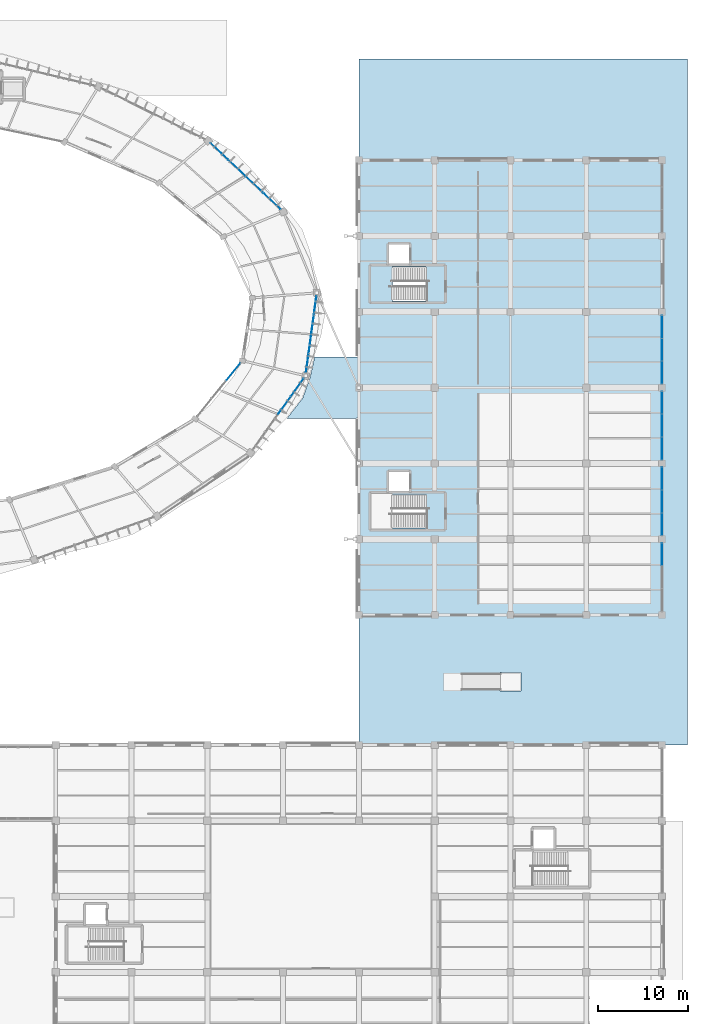
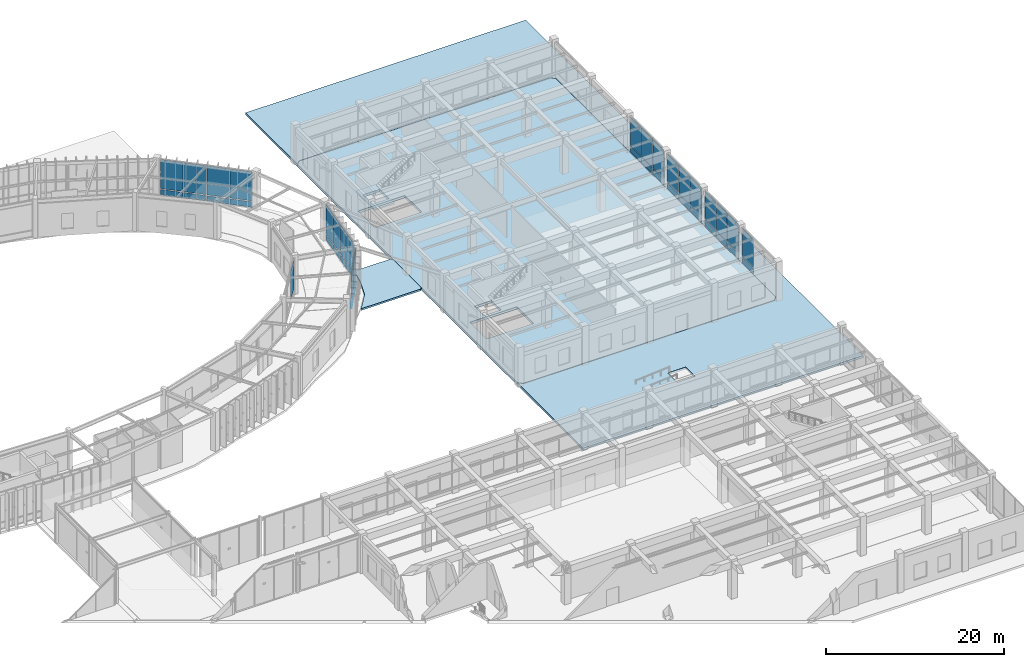
# One storey, part 117 of 157: 41 plates, 4 slabs, 9 elements without a shape of their own.
"""IFC4 building model written with IfcOpenShell, lengths in metres."""

from ifc_helpers import new_model, si_unit, direction, frame, origin, origin_2d, place, context, subcontext, project, spatial, polyline, rectangle, outline, extrude, material, layer, layer_set, type_object, element, aggregate, save


model = new_model("IFC4")

# Units and contexts
model_context = context("Model", 3, precision=1e-05, world=origin(), true_north=direction((0.0, 1.0)))
body_context = subcontext(model_context, "Body", "Model", "MODEL_VIEW")
ifc_project = project(units=[si_unit("LENGTHUNIT", "METRE"), si_unit("AREAUNIT", "SQUARE_METRE"), si_unit("VOLUMEUNIT", "CUBIC_METRE"), si_unit("PLANEANGLEUNIT", "RADIAN"), si_unit("MASSUNIT", "GRAM", prefix="KILO"), si_unit("THERMODYNAMICTEMPERATUREUNIT", "KELVIN"), si_unit("POWERUNIT", "WATT")], contexts=[model_context])

# Site, building, storey
site_placement = place(None, origin())
site = spatial("IfcSite", under=ifc_project, at=site_placement, CompositionType="ELEMENT")
building_placement = place(site_placement, origin())
building = spatial("IfcBuilding", under=site, at=building_placement, Name="Darbajah Civic Hall", CompositionType="ELEMENT")
storey_placement = place(building_placement, origin())
storey = spatial("IfcBuildingStorey", under=building, at=storey_placement, Name="L00", CompositionType="ELEMENT", Elevation=0.0)

# Slab
ifc_material_1 = material(Name="Concrete C45/55", Category="concrete")
ifc_layer_1 = layer(ifc_material_1, 0.300048828125, Name="Concrete C45/55")
ifc_layer_set_1 = layer_set([ifc_layer_1], Name="Concrete C45/55")
slab_type_1 = type_object("IfcSlabType", Name="Exterior Plaza Deck Slab 300mm", PredefinedType="FLOOR", material=ifc_layer_set_1)
slab_1_placement = place(storey_placement, frame((0.0, 0.0, -0.300048828125)))
element("IfcSlab", 1, at=slab_1_placement, inside=storey, type_object=slab_type_1, Name="L00 exterior civic plaza deck APR-E-4", PredefinedType="FLOOR", context=body_context, shape_type="SweptSolid", body=[
    extrude(outline(polyline([(144.60009765625, 118.0), (181.0, 118.0), (181.0, 42.0), (177.728271484375, 42.0), (177.714111328125, 42.01416015625), (177.712646484375, 42.015380859375), (177.711181640625, 42.0166015625), (177.70947265625, 42.017578125), (177.707763671875, 42.0185546875), (177.705810546875, 42.01904296875), (177.703857421875, 42.01953125), (177.701904296875, 42.02001953125), (177.699951171875, 42.02001953125), (144.60009765625, 42.02001953125), (144.60009765625, 56.87158203125), (145.0859375, 56.385986328125), (145.08740234375, 56.384521484375), (145.0888671875, 56.38330078125), (145.090576171875, 56.38232421875), (145.09228515625, 56.381591796875), (145.09423828125, 56.380859375), (145.09619140625, 56.38037109375), (145.097900390625, 56.380126953125), (145.10009765625, 56.3798828125), (177.699951171875, 56.3798828125), (177.701904296875, 56.380126953125), (177.703857421875, 56.38037109375), (177.705810546875, 56.380859375), (177.707763671875, 56.381591796875), (177.70947265625, 56.38232421875), (177.711181640625, 56.38330078125), (177.712646484375, 56.384521484375), (177.714111328125, 56.385986328125), (178.214111328125, 56.885986328125), (178.215576171875, 56.88720703125), (178.216552734375, 56.888916015625), (178.217529296875, 56.890625), (178.218505859375, 56.892333984375), (178.218994140625, 56.894287109375), (178.219482421875, 56.89599609375), (178.219970703125, 56.89794921875), (178.219970703125, 56.89990234375), (178.219970703125, 106.300048828125), (178.219970703125, 106.302001953125), (178.219482421875, 106.303955078125), (178.218994140625, 106.305908203125), (178.218505859375, 106.3076171875), (178.217529296875, 106.309326171875), (178.216552734375, 106.31103515625), (178.215576171875, 106.312744140625), (178.214111328125, 106.314208984375), (177.714111328125, 106.814208984375), (177.712646484375, 106.8154296875), (177.711181640625, 106.816650390625), (177.70947265625, 106.817626953125), (177.707763671875, 106.818603515625), (177.705810546875, 106.819091796875), (177.703857421875, 106.819580078125), (177.701904296875, 106.81982421875), (177.699951171875, 106.820068359375), (145.10009765625, 106.820068359375), (145.097900390625, 106.81982421875), (145.09619140625, 106.819580078125), (145.09423828125, 106.819091796875), (145.09228515625, 106.818603515625), (145.090576171875, 106.817626953125), (145.0888671875, 106.816650390625), (145.08740234375, 106.8154296875), (145.0859375, 106.814208984375), (144.60009765625, 106.328369140625), (144.60009765625, 118.0)]), holes=[polyline([(162.5595703125, 47.97607421875), (162.559814453125, 47.97802734375), (162.56005859375, 47.97998046875), (162.56005859375, 50.02001953125), (162.559814453125, 50.02197265625), (162.5595703125, 50.02392578125), (162.55908203125, 50.02587890625), (162.55859375, 50.027587890625), (162.5576171875, 50.029296875), (162.556640625, 50.031005859375), (162.555419921875, 50.03271484375), (162.55419921875, 50.0341796875), (162.552734375, 50.035400390625), (162.551025390625, 50.03662109375), (162.54931640625, 50.03759765625), (162.547607421875, 50.03857421875), (162.5458984375, 50.0390625), (162.5439453125, 50.03955078125), (162.5419921875, 50.039794921875), (162.5400390625, 50.0400390625), (160.239990234375, 50.0400390625), (160.238037109375, 50.039794921875), (160.236083984375, 50.03955078125), (160.234130859375, 50.0390625), (160.232421875, 50.03857421875), (160.230712890625, 50.03759765625), (160.22900390625, 50.03662109375), (160.227294921875, 50.035400390625), (160.225830078125, 50.0341796875), (160.224609375, 50.03271484375), (160.223388671875, 50.031005859375), (160.222412109375, 50.029296875), (160.221435546875, 50.027587890625), (160.220947265625, 50.02587890625), (160.220458984375, 50.02392578125), (160.22021484375, 50.02197265625), (160.219970703125, 50.02001953125), (160.219970703125, 47.97998046875), (160.22021484375, 47.97802734375), (160.220458984375, 47.97607421875), (160.220947265625, 47.97412109375), (160.221435546875, 47.972412109375), (160.222412109375, 47.970703125), (160.223388671875, 47.968994140625), (160.224609375, 47.96728515625), (160.225830078125, 47.9658203125), (160.227294921875, 47.964599609375), (160.22900390625, 47.96337890625), (160.230712890625, 47.96240234375), (160.232421875, 47.96142578125), (160.234130859375, 47.9609375), (160.236083984375, 47.96044921875), (160.238037109375, 47.960205078125), (160.239990234375, 47.9599609375), (162.5400390625, 47.9599609375), (162.5419921875, 47.960205078125), (162.5439453125, 47.96044921875), (162.5458984375, 47.9609375), (162.547607421875, 47.96142578125), (162.54931640625, 47.96240234375), (162.551025390625, 47.96337890625), (162.552734375, 47.964599609375), (162.55419921875, 47.9658203125), (162.555419921875, 47.96728515625), (162.556640625, 47.968994140625), (162.5576171875, 47.970703125), (162.55859375, 47.972412109375), (162.55908203125, 47.97412109375), (162.5595703125, 47.97607421875)])]), origin(), (0.0, 0.0, 1.0), 0.300048828125),
])

# Curtain wall, plates
ifc_material_2 = material(Name="Anodised Bronze Aluminium and Low-E Glazing", Category="aluminium")
curtain_wall_type_1 = type_object("IfcCurtainWallType", Name="Unitised Curtain Wall CW-01 10700x5100", PredefinedType="USERDEFINED", material=ifc_material_2)
curtain_wall_1_placement = place(storey_placement, origin())
curtain_wall_1 = element("IfcCurtainWall", 2, at=curtain_wall_1_placement, inside=storey, type_object=curtain_wall_type_1, Name="L00 unitised curtain wall CW-V1O-L00-01", ObjectType="UNITISED CURTAIN WALL", PredefinedType="USERDEFINED")
ifc_material_3 = material(Name="Low-E Solar Control Double Glazing", Category="glass")
ifc_layer_2 = layer(ifc_material_3, 0.028076171875, Name="Low-E Solar Control Double Glazing")
ifc_layer_set_2 = layer_set([ifc_layer_2], Name="Low-E Solar Control Double Glazing")
plate_type_1 = type_object("IfcPlateType", Name="Solar Double Glazing 28mm", PredefinedType="CURTAIN_PANEL", material=ifc_layer_set_2)
plate_1_placement = place(storey_placement, frame((134.97021484375, 102.26708984375, 0.119873046875), z_axis=(0.0, 0.0, 1.0), x_axis=(-0.727173991201, 0.686453193248, 0.0)))
plate_1 = element("IfcPlate", 3, at=plate_1_placement, type_object=plate_type_1, Name="CW-V1O-L00-01 glazed panel 1.1", PredefinedType="CURTAIN_PANEL", context=body_context, shape_type="SweptSolid", body=[
    extrude(rectangle(XDim=2.607666015625, YDim=0.028076171875, at=origin_2d()), origin(), (0.0, 0.0, 1.0), 0.77001953125),
])
plate_2_placement = place(storey_placement, frame((134.97021484375, 102.26708984375, 1.009765625), z_axis=(0.0, 0.0, 1.0), x_axis=(-0.727173991201, 0.686453193248, 0.0)))
plate_2 = element("IfcPlate", 4, at=plate_2_placement, type_object=plate_type_1, Name="CW-V1O-L00-01 glazed panel 1.2", PredefinedType="CURTAIN_PANEL", context=body_context, shape_type="SweptSolid", body=[
    extrude(rectangle(XDim=2.607666015625, YDim=0.028076171875, at=origin_2d()), origin(), (0.0, 0.0, 1.0), 3.989990234375),
])
plate_3_placement = place(storey_placement, frame((133.02294921875, 104.10498046875, 0.119873046875), z_axis=(0.0, 0.0, 1.0), x_axis=(-0.727173991201, 0.686453193248, 0.0)))
plate_3 = element("IfcPlate", 5, at=plate_3_placement, type_object=plate_type_1, Name="CW-V1O-L00-01 glazed panel 2.1", PredefinedType="CURTAIN_PANEL", context=body_context, shape_type="SweptSolid", body=[
    extrude(rectangle(XDim=2.607666015625, YDim=0.028076171875, at=origin_2d()), origin(), (0.0, 0.0, 1.0), 0.77001953125),
])
plate_4_placement = place(storey_placement, frame((133.02294921875, 104.10498046875, 1.009765625), z_axis=(0.0, 0.0, 1.0), x_axis=(-0.727173991201, 0.686453193248, 0.0)))
plate_4 = element("IfcPlate", 6, at=plate_4_placement, type_object=plate_type_1, Name="CW-V1O-L00-01 glazed panel 2.2", PredefinedType="CURTAIN_PANEL", context=body_context, shape_type="SweptSolid", body=[
    extrude(rectangle(XDim=2.607666015625, YDim=0.028076171875, at=origin_2d()), origin(), (0.0, 0.0, 1.0), 3.989990234375),
])
plate_5_placement = place(storey_placement, frame((131.07568359375, 105.94287109375, 0.119873046875), z_axis=(0.0, 0.0, 1.0), x_axis=(-0.727173991201, 0.686453193248, 0.0)))
plate_5 = element("IfcPlate", 7, at=plate_5_placement, type_object=plate_type_1, Name="CW-V1O-L00-01 glazed panel 3.1", PredefinedType="CURTAIN_PANEL", context=body_context, shape_type="SweptSolid", body=[
    extrude(rectangle(XDim=2.607666015625, YDim=0.028076171875, at=origin_2d()), origin(), (0.0, 0.0, 1.0), 0.77001953125),
])
plate_6_placement = place(storey_placement, frame((131.07568359375, 105.94287109375, 1.009765625), z_axis=(0.0, 0.0, 1.0), x_axis=(-0.727173991201, 0.686453193248, 0.0)))
plate_6 = element("IfcPlate", 8, at=plate_6_placement, type_object=plate_type_1, Name="CW-V1O-L00-01 glazed panel 3.2", PredefinedType="CURTAIN_PANEL", context=body_context, shape_type="SweptSolid", body=[
    extrude(rectangle(XDim=2.607666015625, YDim=0.028076171875, at=origin_2d()), origin(), (0.0, 0.0, 1.0), 3.989990234375),
])
plate_7_placement = place(storey_placement, frame((129.12841796875, 107.781005859375, 0.119873046875), z_axis=(0.0, 0.0, 1.0), x_axis=(-0.727173991201, 0.686453193248, 0.0)))
plate_7 = element("IfcPlate", 9, at=plate_7_placement, type_object=plate_type_1, Name="CW-V1O-L00-01 glazed panel 4.1", PredefinedType="CURTAIN_PANEL", context=body_context, shape_type="SweptSolid", body=[
    extrude(rectangle(XDim=2.607666015625, YDim=0.028076171875, at=origin_2d()), origin(), (0.0, 0.0, 1.0), 0.77001953125),
])
plate_8_placement = place(storey_placement, frame((129.12841796875, 107.781005859375, 1.009765625), z_axis=(0.0, 0.0, 1.0), x_axis=(-0.727173991201, 0.686453193248, 0.0)))
plate_8 = element("IfcPlate", 10, at=plate_8_placement, type_object=plate_type_1, Name="CW-V1O-L00-01 glazed panel 4.2", PredefinedType="CURTAIN_PANEL", context=body_context, shape_type="SweptSolid", body=[
    extrude(rectangle(XDim=2.607666015625, YDim=0.028076171875, at=origin_2d()), origin(), (0.0, 0.0, 1.0), 3.989990234375),
])
aggregate(curtain_wall_1, [plate_1, plate_2, plate_3, plate_4, plate_5, plate_6, plate_7, plate_8])

# Curtain wall, plate
curtain_wall_type_2 = type_object("IfcCurtainWallType", Name="Unitised Curtain Wall CW-17 7600x5100", PredefinedType="USERDEFINED", material=ifc_material_2)
curtain_wall_2_placement = place(storey_placement, origin())
curtain_wall_2 = element("IfcCurtainWall", 11, at=curtain_wall_2_placement, inside=storey, type_object=curtain_wall_type_2, Name="L00 unitised curtain wall CW-V1I-L00-18", ObjectType="UNITISED CURTAIN WALL", PredefinedType="USERDEFINED")
plate_9_placement = place(storey_placement, frame((130.667724609375, 83.337890625, 1.009765625), z_axis=(0.0, 0.0, 1.0), x_axis=(0.63108205791, 0.775716079622, 0.0)))
plate_9 = element("IfcPlate", 12, at=plate_9_placement, type_object=plate_type_1, Name="CW-V1I-L00-18 glazed panel 3.2", PredefinedType="CURTAIN_PANEL", context=body_context, shape_type="SweptSolid", body=[
    extrude(rectangle(XDim=2.46533203125, YDim=0.028076171875, at=origin_2d()), origin(), (0.0, 0.0, 1.0), 3.989990234375),
])
aggregate(curtain_wall_2, [plate_9])

# Curtain wall, plates
curtain_wall_type_3 = type_object("IfcCurtainWallType", Name="Unitised Curtain Wall CW-18 8500x5100", PredefinedType="USERDEFINED", material=ifc_material_2)
curtain_wall_3_placement = place(storey_placement, origin())
curtain_wall_3 = element("IfcCurtainWall", 13, at=curtain_wall_3_placement, inside=storey, type_object=curtain_wall_type_3, Name="L00 unitised curtain wall CW-V1O-L00-19", ObjectType="UNITISED CURTAIN WALL", PredefinedType="USERDEFINED")
plate_10_placement = place(storey_placement, frame((138.885498046875, 84.34375, 0.119873046875), z_axis=(0.0, 0.0, 1.0), x_axis=(0.134850930274, 0.990865897387, 0.0)))
plate_10 = element("IfcPlate", 14, at=plate_10_placement, type_object=plate_type_1, Name="CW-V1O-L00-19 glazed panel 1.1", PredefinedType="CURTAIN_PANEL", context=body_context, shape_type="SweptSolid", body=[
    extrude(rectangle(XDim=2.06298828125, YDim=0.028076171875, at=origin_2d()), origin(), (0.0, 0.0, 1.0), 0.77001953125),
])
plate_11_placement = place(storey_placement, frame((138.885498046875, 84.34375, 1.009765625), z_axis=(0.0, 0.0, 1.0), x_axis=(0.134850930274, 0.990865897387, 0.0)))
plate_11 = element("IfcPlate", 15, at=plate_11_placement, type_object=plate_type_1, Name="CW-V1O-L00-19 glazed panel 1.2", PredefinedType="CURTAIN_PANEL", context=body_context, shape_type="SweptSolid", body=[
    extrude(rectangle(XDim=2.06298828125, YDim=0.028076171875, at=origin_2d()), origin(), (0.0, 0.0, 1.0), 3.989990234375),
])
plate_12_placement = place(storey_placement, frame((139.173095703125, 86.457275390625, 0.119873046875), z_axis=(0.0, 0.0, 1.0), x_axis=(0.134850930274, 0.990865897387, 0.0)))
plate_12 = element("IfcPlate", 16, at=plate_12_placement, type_object=plate_type_1, Name="CW-V1O-L00-19 glazed panel 2.1", PredefinedType="CURTAIN_PANEL", context=body_context, shape_type="SweptSolid", body=[
    extrude(rectangle(XDim=2.06298828125, YDim=0.028076171875, at=origin_2d()), origin(), (0.0, 0.0, 1.0), 0.77001953125),
])
plate_13_placement = place(storey_placement, frame((139.173095703125, 86.457275390625, 1.009765625), z_axis=(0.0, 0.0, 1.0), x_axis=(0.134850930274, 0.990865897387, 0.0)))
plate_13 = element("IfcPlate", 17, at=plate_13_placement, type_object=plate_type_1, Name="CW-V1O-L00-19 glazed panel 2.2", PredefinedType="CURTAIN_PANEL", context=body_context, shape_type="SweptSolid", body=[
    extrude(rectangle(XDim=2.06298828125, YDim=0.028076171875, at=origin_2d()), origin(), (0.0, 0.0, 1.0), 3.989990234375),
])
plate_14_placement = place(storey_placement, frame((139.460693359375, 88.57080078125, 0.119873046875), z_axis=(0.0, 0.0, 1.0), x_axis=(0.134850930274, 0.990865897387, 0.0)))
plate_14 = element("IfcPlate", 18, at=plate_14_placement, type_object=plate_type_1, Name="CW-V1O-L00-19 glazed panel 3.1", PredefinedType="CURTAIN_PANEL", context=body_context, shape_type="SweptSolid", body=[
    extrude(rectangle(XDim=2.06298828125, YDim=0.028076171875, at=origin_2d()), origin(), (0.0, 0.0, 1.0), 0.77001953125),
])
plate_15_placement = place(storey_placement, frame((139.460693359375, 88.57080078125, 1.009765625), z_axis=(0.0, 0.0, 1.0), x_axis=(0.134850930274, 0.990865897387, 0.0)))
plate_15 = element("IfcPlate", 19, at=plate_15_placement, type_object=plate_type_1, Name="CW-V1O-L00-19 glazed panel 3.2", PredefinedType="CURTAIN_PANEL", context=body_context, shape_type="SweptSolid", body=[
    extrude(rectangle(XDim=2.06298828125, YDim=0.028076171875, at=origin_2d()), origin(), (0.0, 0.0, 1.0), 3.989990234375),
])
plate_16_placement = place(storey_placement, frame((139.748291015625, 90.68408203125, 0.119873046875), z_axis=(0.0, 0.0, 1.0), x_axis=(0.134850930274, 0.990865897387, 0.0)))
plate_16 = element("IfcPlate", 20, at=plate_16_placement, type_object=plate_type_1, Name="CW-V1O-L00-19 glazed panel 4.1", PredefinedType="CURTAIN_PANEL", context=body_context, shape_type="SweptSolid", body=[
    extrude(rectangle(XDim=2.06298828125, YDim=0.028076171875, at=origin_2d()), origin(), (0.0, 0.0, 1.0), 0.77001953125),
])
plate_17_placement = place(storey_placement, frame((139.748291015625, 90.68408203125, 1.009765625), z_axis=(0.0, 0.0, 1.0), x_axis=(0.134850930274, 0.990865897387, 0.0)))
plate_17 = element("IfcPlate", 21, at=plate_17_placement, type_object=plate_type_1, Name="CW-V1O-L00-19 glazed panel 4.2", PredefinedType="CURTAIN_PANEL", context=body_context, shape_type="SweptSolid", body=[
    extrude(rectangle(XDim=2.06298828125, YDim=0.028076171875, at=origin_2d()), origin(), (0.0, 0.0, 1.0), 3.989990234375),
])
aggregate(curtain_wall_3, [plate_10, plate_11, plate_12, plate_13, plate_14, plate_15, plate_16, plate_17])

curtain_wall_type_4 = type_object("IfcCurtainWallType", Name="Unitised Curtain Wall CW-16 9700x5100", PredefinedType="USERDEFINED", material=ifc_material_2)
curtain_wall_4_placement = place(storey_placement, origin())
curtain_wall_4 = element("IfcCurtainWall", 22, at=curtain_wall_4_placement, inside=storey, type_object=curtain_wall_type_4, Name="L00 unitised curtain wall CW-V1O-L00-18", ObjectType="UNITISED CURTAIN WALL", PredefinedType="USERDEFINED")
ifc_layer_3 = layer(ifc_material_3, 0.031982421875, Name="Low-E Solar Control Double Glazing")
ifc_layer_set_3 = layer_set([ifc_layer_3], Name="Low-E Solar Control Double Glazing")
plate_type_2 = type_object("IfcPlateType", Name="Solar Double Glazing 32mm", PredefinedType="CURTAIN_PANEL", material=ifc_layer_set_3)
plate_18_placement = place(storey_placement, frame((136.34619140625, 79.63916015625, 0.14013671875), z_axis=(0.0, 0.0, 1.0), x_axis=(0.582264874145, 0.812999149039, 0.0)))
plate_18 = element("IfcPlate", 23, at=plate_18_placement, type_object=plate_type_2, Name="CW-V1O-L00-18 glazed panel 3.1", PredefinedType="CURTAIN_PANEL", context=body_context, shape_type="SweptSolid", body=[
    extrude(rectangle(XDim=2.3583984375, YDim=0.031982421875, at=origin_2d()), origin(), (0.0, 0.0, 1.0), 0.739990234375),
])
plate_19_placement = place(storey_placement, frame((136.34619140625, 79.63916015625, 1.02001953125), z_axis=(0.0, 0.0, 1.0), x_axis=(0.582264874145, 0.812999149039, 0.0)))
plate_19 = element("IfcPlate", 24, at=plate_19_placement, type_object=plate_type_2, Name="CW-V1O-L00-18 glazed panel 3.2", PredefinedType="CURTAIN_PANEL", context=body_context, shape_type="SweptSolid", body=[
    extrude(rectangle(XDim=2.3583984375, YDim=0.031982421875, at=origin_2d()), origin(), (0.0, 0.0, 1.0), 3.9599609375),
])
plate_20_placement = place(storey_placement, frame((137.762939453125, 81.61767578125, 0.14013671875), z_axis=(0.0, 0.0, 1.0), x_axis=(0.582264874145, 0.812999149039, 0.0)))
plate_20 = element("IfcPlate", 25, at=plate_20_placement, type_object=plate_type_2, Name="CW-V1O-L00-18 glazed panel 4.1", PredefinedType="CURTAIN_PANEL", context=body_context, shape_type="SweptSolid", body=[
    extrude(rectangle(XDim=2.3583984375, YDim=0.031982421875, at=origin_2d()), origin(), (0.0, 0.0, 1.0), 0.739990234375),
])
plate_21_placement = place(storey_placement, frame((137.762939453125, 81.61767578125, 1.02001953125), z_axis=(0.0, 0.0, 1.0), x_axis=(0.582264874145, 0.812999149039, 0.0)))
plate_21 = element("IfcPlate", 26, at=plate_21_placement, type_object=plate_type_2, Name="CW-V1O-L00-18 glazed panel 4.2", PredefinedType="CURTAIN_PANEL", context=body_context, shape_type="SweptSolid", body=[
    extrude(rectangle(XDim=2.3583984375, YDim=0.031982421875, at=origin_2d()), origin(), (0.0, 0.0, 1.0), 3.9599609375),
])
aggregate(curtain_wall_4, [plate_18, plate_19, plate_20, plate_21])

curtain_wall_type_5 = type_object("IfcCurtainWallType", Name="Unitised Curtain Wall CW-95 7600x5050", PredefinedType="USERDEFINED", material=ifc_material_2)
curtain_wall_5_placement = place(storey_placement, origin())
curtain_wall_5 = element("IfcCurtainWall", 27, at=curtain_wall_5_placement, inside=storey, type_object=curtain_wall_type_5, Name="L00 unitised curtain wall CW-V4-L00-S1-B0", ObjectType="UNITISED CURTAIN WALL", PredefinedType="USERDEFINED")
plate_22_placement = place(storey_placement, frame((178.199951171875, 63.132080078125, 0.119873046875), z_axis=(0.0, 0.0, 1.0), x_axis=(0.0, 1.0, 0.0)))
plate_22 = element("IfcPlate", 28, at=plate_22_placement, type_object=plate_type_2, Name="CW-V4-L00-S1-B0 glazed panel 3.1", PredefinedType="CURTAIN_PANEL", context=body_context, shape_type="SweptSolid", body=[
    extrude(rectangle(XDim=2.4619140625, YDim=0.031982421875, at=origin_2d()), origin(), (0.0, 0.0, 1.0), 0.77001953125),
])
plate_23_placement = place(storey_placement, frame((178.199951171875, 63.132080078125, 1.01025390625), z_axis=(0.0, 0.0, 1.0), x_axis=(0.0, 1.0, 0.0)))
plate_23 = element("IfcPlate", 29, at=plate_23_placement, type_object=plate_type_2, Name="CW-V4-L00-S1-B0 glazed panel 3.2", PredefinedType="CURTAIN_PANEL", context=body_context, shape_type="SweptSolid", body=[
    extrude(rectangle(XDim=2.4619140625, YDim=0.031982421875, at=origin_2d()), origin(), (0.0, 0.0, 1.0), 3.929931640625),
])
aggregate(curtain_wall_5, [plate_22, plate_23])

curtain_wall_6_placement = place(storey_placement, origin())
curtain_wall_6 = element("IfcCurtainWall", 30, at=curtain_wall_6_placement, inside=storey, type_object=curtain_wall_type_5, Name="L00 unitised curtain wall CW-V4-L00-S1-B1", ObjectType="UNITISED CURTAIN WALL", PredefinedType="USERDEFINED")
plate_24_placement = place(storey_placement, frame((178.199951171875, 66.468017578125, 0.119873046875), z_axis=(0.0, 0.0, 1.0), x_axis=(0.0, 1.0, 0.0)))
plate_24 = element("IfcPlate", 31, at=plate_24_placement, type_object=plate_type_2, Name="CW-V4-L00-S1-B1 glazed panel 1.1", PredefinedType="CURTAIN_PANEL", context=body_context, shape_type="SweptSolid", body=[
    extrude(rectangle(XDim=2.4619140625, YDim=0.031982421875, at=origin_2d()), origin(), (0.0, 0.0, 1.0), 0.77001953125),
])
plate_25_placement = place(storey_placement, frame((178.199951171875, 66.468017578125, 1.01025390625), z_axis=(0.0, 0.0, 1.0), x_axis=(0.0, 1.0, 0.0)))
plate_25 = element("IfcPlate", 32, at=plate_25_placement, type_object=plate_type_2, Name="CW-V4-L00-S1-B1 glazed panel 1.2", PredefinedType="CURTAIN_PANEL", context=body_context, shape_type="SweptSolid", body=[
    extrude(rectangle(XDim=2.4619140625, YDim=0.031982421875, at=origin_2d()), origin(), (0.0, 0.0, 1.0), 3.929931640625),
])
plate_26_placement = place(storey_placement, frame((178.199951171875, 69.0, 0.119873046875), z_axis=(0.0, 0.0, 1.0), x_axis=(0.0, 1.0, 0.0)))
plate_26 = element("IfcPlate", 33, at=plate_26_placement, type_object=plate_type_2, Name="CW-V4-L00-S1-B1 glazed panel 2.1", PredefinedType="CURTAIN_PANEL", context=body_context, shape_type="SweptSolid", body=[
    extrude(rectangle(XDim=2.4619140625, YDim=0.031982421875, at=origin_2d()), origin(), (0.0, 0.0, 1.0), 0.77001953125),
])
plate_27_placement = place(storey_placement, frame((178.199951171875, 69.0, 1.01025390625), z_axis=(0.0, 0.0, 1.0), x_axis=(0.0, 1.0, 0.0)))
plate_27 = element("IfcPlate", 34, at=plate_27_placement, type_object=plate_type_2, Name="CW-V4-L00-S1-B1 glazed panel 2.2", PredefinedType="CURTAIN_PANEL", context=body_context, shape_type="SweptSolid", body=[
    extrude(rectangle(XDim=2.4619140625, YDim=0.031982421875, at=origin_2d()), origin(), (0.0, 0.0, 1.0), 3.929931640625),
])
plate_28_placement = place(storey_placement, frame((178.199951171875, 71.531982421875, 0.119873046875), z_axis=(0.0, 0.0, 1.0), x_axis=(0.0, 1.0, 0.0)))
plate_28 = element("IfcPlate", 35, at=plate_28_placement, type_object=plate_type_2, Name="CW-V4-L00-S1-B1 glazed panel 3.1", PredefinedType="CURTAIN_PANEL", context=body_context, shape_type="SweptSolid", body=[
    extrude(rectangle(XDim=2.4619140625, YDim=0.031982421875, at=origin_2d()), origin(), (0.0, 0.0, 1.0), 0.77001953125),
])
plate_29_placement = place(storey_placement, frame((178.199951171875, 71.531982421875, 1.01025390625), z_axis=(0.0, 0.0, 1.0), x_axis=(0.0, 1.0, 0.0)))
plate_29 = element("IfcPlate", 36, at=plate_29_placement, type_object=plate_type_2, Name="CW-V4-L00-S1-B1 glazed panel 3.2", PredefinedType="CURTAIN_PANEL", context=body_context, shape_type="SweptSolid", body=[
    extrude(rectangle(XDim=2.4619140625, YDim=0.031982421875, at=origin_2d()), origin(), (0.0, 0.0, 1.0), 3.929931640625),
])
aggregate(curtain_wall_6, [plate_24, plate_25, plate_26, plate_27, plate_28, plate_29])

curtain_wall_7_placement = place(storey_placement, origin())
curtain_wall_7 = element("IfcCurtainWall", 37, at=curtain_wall_7_placement, inside=storey, type_object=curtain_wall_type_5, Name="L00 unitised curtain wall CW-V4-L00-S1-B2", ObjectType="UNITISED CURTAIN WALL", PredefinedType="USERDEFINED")
plate_30_placement = place(storey_placement, frame((178.199951171875, 74.867919921875, 0.119873046875), z_axis=(0.0, 0.0, 1.0), x_axis=(0.0, 1.0, 0.0)))
plate_30 = element("IfcPlate", 38, at=plate_30_placement, type_object=plate_type_2, Name="CW-V4-L00-S1-B2 glazed panel 1.1", PredefinedType="CURTAIN_PANEL", context=body_context, shape_type="SweptSolid", body=[
    extrude(rectangle(XDim=2.4619140625, YDim=0.031982421875, at=origin_2d()), origin(), (0.0, 0.0, 1.0), 0.77001953125),
])
plate_31_placement = place(storey_placement, frame((178.199951171875, 74.867919921875, 1.01025390625), z_axis=(0.0, 0.0, 1.0), x_axis=(0.0, 1.0, 0.0)))
plate_31 = element("IfcPlate", 39, at=plate_31_placement, type_object=plate_type_2, Name="CW-V4-L00-S1-B2 glazed panel 1.2", PredefinedType="CURTAIN_PANEL", context=body_context, shape_type="SweptSolid", body=[
    extrude(rectangle(XDim=2.4619140625, YDim=0.031982421875, at=origin_2d()), origin(), (0.0, 0.0, 1.0), 3.929931640625),
])
plate_32_placement = place(storey_placement, frame((178.199951171875, 77.39990234375, 0.119873046875), z_axis=(0.0, 0.0, 1.0), x_axis=(0.0, 1.0, 0.0)))
plate_32 = element("IfcPlate", 40, at=plate_32_placement, type_object=plate_type_2, Name="CW-V4-L00-S1-B2 glazed panel 2.1", PredefinedType="CURTAIN_PANEL", context=body_context, shape_type="SweptSolid", body=[
    extrude(rectangle(XDim=2.4619140625, YDim=0.031982421875, at=origin_2d()), origin(), (0.0, 0.0, 1.0), 0.77001953125),
])
plate_33_placement = place(storey_placement, frame((178.199951171875, 77.39990234375, 1.01025390625), z_axis=(0.0, 0.0, 1.0), x_axis=(0.0, 1.0, 0.0)))
plate_33 = element("IfcPlate", 41, at=plate_33_placement, type_object=plate_type_2, Name="CW-V4-L00-S1-B2 glazed panel 2.2", PredefinedType="CURTAIN_PANEL", context=body_context, shape_type="SweptSolid", body=[
    extrude(rectangle(XDim=2.4619140625, YDim=0.031982421875, at=origin_2d()), origin(), (0.0, 0.0, 1.0), 3.929931640625),
])
plate_34_placement = place(storey_placement, frame((178.199951171875, 79.931884765625, 0.119873046875), z_axis=(0.0, 0.0, 1.0), x_axis=(0.0, 1.0, 0.0)))
plate_34 = element("IfcPlate", 42, at=plate_34_placement, type_object=plate_type_2, Name="CW-V4-L00-S1-B2 glazed panel 3.1", PredefinedType="CURTAIN_PANEL", context=body_context, shape_type="SweptSolid", body=[
    extrude(rectangle(XDim=2.4619140625, YDim=0.031982421875, at=origin_2d()), origin(), (0.0, 0.0, 1.0), 0.77001953125),
])
plate_35_placement = place(storey_placement, frame((178.199951171875, 79.931884765625, 1.01025390625), z_axis=(0.0, 0.0, 1.0), x_axis=(0.0, 1.0, 0.0)))
plate_35 = element("IfcPlate", 43, at=plate_35_placement, type_object=plate_type_2, Name="CW-V4-L00-S1-B2 glazed panel 3.2", PredefinedType="CURTAIN_PANEL", context=body_context, shape_type="SweptSolid", body=[
    extrude(rectangle(XDim=2.4619140625, YDim=0.031982421875, at=origin_2d()), origin(), (0.0, 0.0, 1.0), 3.929931640625),
])
aggregate(curtain_wall_7, [plate_30, plate_31, plate_32, plate_33, plate_34, plate_35])

curtain_wall_8_placement = place(storey_placement, origin())
curtain_wall_8 = element("IfcCurtainWall", 44, at=curtain_wall_8_placement, inside=storey, type_object=curtain_wall_type_5, Name="L00 unitised curtain wall CW-V4-L00-S1-B3", ObjectType="UNITISED CURTAIN WALL", PredefinedType="USERDEFINED")
plate_36_placement = place(storey_placement, frame((178.199951171875, 83.26806640625, 0.119873046875), z_axis=(0.0, 0.0, 1.0), x_axis=(0.0, 1.0, 0.0)))
plate_36 = element("IfcPlate", 45, at=plate_36_placement, type_object=plate_type_2, Name="CW-V4-L00-S1-B3 glazed panel 1.1", PredefinedType="CURTAIN_PANEL", context=body_context, shape_type="SweptSolid", body=[
    extrude(rectangle(XDim=2.4619140625, YDim=0.031982421875, at=origin_2d()), origin(), (0.0, 0.0, 1.0), 0.77001953125),
])
plate_37_placement = place(storey_placement, frame((178.199951171875, 83.26806640625, 1.01025390625), z_axis=(0.0, 0.0, 1.0), x_axis=(0.0, 1.0, 0.0)))
plate_37 = element("IfcPlate", 46, at=plate_37_placement, type_object=plate_type_2, Name="CW-V4-L00-S1-B3 glazed panel 1.2", PredefinedType="CURTAIN_PANEL", context=body_context, shape_type="SweptSolid", body=[
    extrude(rectangle(XDim=2.4619140625, YDim=0.031982421875, at=origin_2d()), origin(), (0.0, 0.0, 1.0), 3.929931640625),
])
plate_38_placement = place(storey_placement, frame((178.199951171875, 85.800048828125, 0.119873046875), z_axis=(0.0, 0.0, 1.0), x_axis=(0.0, 1.0, 0.0)))
plate_38 = element("IfcPlate", 47, at=plate_38_placement, type_object=plate_type_2, Name="CW-V4-L00-S1-B3 glazed panel 2.1", PredefinedType="CURTAIN_PANEL", context=body_context, shape_type="SweptSolid", body=[
    extrude(rectangle(XDim=2.4619140625, YDim=0.031982421875, at=origin_2d()), origin(), (0.0, 0.0, 1.0), 0.77001953125),
])
plate_39_placement = place(storey_placement, frame((178.199951171875, 85.800048828125, 1.01025390625), z_axis=(0.0, 0.0, 1.0), x_axis=(0.0, 1.0, 0.0)))
plate_39 = element("IfcPlate", 48, at=plate_39_placement, type_object=plate_type_2, Name="CW-V4-L00-S1-B3 glazed panel 2.2", PredefinedType="CURTAIN_PANEL", context=body_context, shape_type="SweptSolid", body=[
    extrude(rectangle(XDim=2.4619140625, YDim=0.031982421875, at=origin_2d()), origin(), (0.0, 0.0, 1.0), 3.929931640625),
])
plate_40_placement = place(storey_placement, frame((178.199951171875, 88.33203125, 0.119873046875), z_axis=(0.0, 0.0, 1.0), x_axis=(0.0, 1.0, 0.0)))
plate_40 = element("IfcPlate", 49, at=plate_40_placement, type_object=plate_type_2, Name="CW-V4-L00-S1-B3 glazed panel 3.1", PredefinedType="CURTAIN_PANEL", context=body_context, shape_type="SweptSolid", body=[
    extrude(rectangle(XDim=2.4619140625, YDim=0.031982421875, at=origin_2d()), origin(), (0.0, 0.0, 1.0), 0.77001953125),
])
plate_41_placement = place(storey_placement, frame((178.199951171875, 88.33203125, 1.01025390625), z_axis=(0.0, 0.0, 1.0), x_axis=(0.0, 1.0, 0.0)))
plate_41 = element("IfcPlate", 50, at=plate_41_placement, type_object=plate_type_2, Name="CW-V4-L00-S1-B3 glazed panel 3.2", PredefinedType="CURTAIN_PANEL", context=body_context, shape_type="SweptSolid", body=[
    extrude(rectangle(XDim=2.4619140625, YDim=0.031982421875, at=origin_2d()), origin(), (0.0, 0.0, 1.0), 3.929931640625),
])
aggregate(curtain_wall_8, [plate_36, plate_37, plate_38, plate_39, plate_40, plate_41])

# Stair, slab
stair_type = type_object("IfcStairType", Name="Half Turn Stair 1650x5400", PredefinedType="HALF_TURN_STAIR", material=ifc_material_1)
stair_placement = place(storey_placement, origin())
stair = element("IfcStair", 51, at=stair_placement, inside=storey, type_object=stair_type, Name="L00 enclosed exit stair ST08", PredefinedType="HALF_TURN_STAIR")
ifc_layer_4 = layer(ifc_material_1, 0.199951171875, Name="Concrete C45/55")
ifc_layer_set_4 = layer_set([ifc_layer_4], Name="Concrete C45/55")
slab_type_2 = type_object("IfcSlabType", Name="Stair Landing Slab 200mm", PredefinedType="LANDING", material=ifc_layer_set_4)
slab_2_placement = place(storey_placement, frame((0.0, 0.0, 2.5)))
slab_2 = element("IfcSlab", 52, at=slab_2_placement, type_object=slab_type_2, Name="ST08 L00 half-landing", PredefinedType="LANDING", context=body_context, shape_type="SweptSolid", body=[
    extrude(outline(polyline([(145.800048828125, 91.0), (148.340087890625, 91.0), (148.340087890625, 95.199951171875), (145.800048828125, 95.199951171875), (145.800048828125, 91.0)])), origin(), (0.0, 0.0, 1.0), 0.199951171875),
])
aggregate(stair, [slab_2])

# Slabs
ifc_layer_5 = layer(ifc_material_1, 0.239990234375, Name="Concrete C45/55")
ifc_layer_set_5 = layer_set([ifc_layer_5], Name="Concrete C45/55")
slab_type_3 = type_object("IfcSlabType", Name="Structural Floor Slab 240mm", PredefinedType="FLOOR", material=ifc_layer_set_5)
slab_3_placement = place(storey_placement, frame((0.0, 0.0, -0.239990234375)))
element("IfcSlab", 53, at=slab_3_placement, inside=storey, type_object=slab_type_3, Name="L00 Screened Link Walk E floor slab", PredefinedType="FLOOR", context=body_context, shape_type="SweptSolid", body=[
    extrude(outline(polyline([(144.35009765625, 85.0), (144.60009765625, 84.75), (144.60009765625, 78.449951171875), (144.35009765625, 78.199951171875), (136.64990234375, 78.199951171875), (136.62890625, 78.22119140625), (136.697509765625, 78.29248046875), (136.70068359375, 78.29638671875), (138.359375, 80.42041015625), (138.362548828125, 80.4248046875), (138.364990234375, 80.4296875), (138.3671875, 80.4345703125), (139.20458984375, 82.784423828125), (139.206298828125, 82.79052734375), (139.694091796875, 85.0), (144.35009765625, 85.0)])), origin(), (0.0, 0.0, 1.0), 0.239990234375),
])
ifc_layer_6 = layer(ifc_material_1, 0.340087890625, Name="Concrete C45/55")
ifc_layer_set_6 = layer_set([ifc_layer_6], Name="Concrete C45/55")
slab_type_4 = type_object("IfcSlabType", Name="Structural Floor Slab 340mm", PredefinedType="FLOOR", material=ifc_layer_set_6)
slab_4_placement = place(storey_placement, frame((0.0, 0.0, -0.340087890625)))
element("IfcSlab", 54, at=slab_4_placement, inside=storey, type_object=slab_type_4, Name="L00 Members Library floor slab", PredefinedType="FLOOR", context=body_context, shape_type="SweptSolid", body=[
    extrude(outline(polyline([(145.10009765625, 56.39990234375), (177.699951171875, 56.39990234375), (178.199951171875, 56.89990234375), (178.199951171875, 106.300048828125), (177.699951171875, 106.800048828125), (145.10009765625, 106.800048828125), (144.60009765625, 106.300048828125), (144.60009765625, 56.89990234375), (145.10009765625, 56.39990234375)]), holes=[polyline([(145.93994140625, 94.97998046875), (152.02001953125, 94.97998046875), (152.02001953125, 91.219970703125), (145.93994140625, 91.219970703125), (145.93994140625, 94.97998046875)]), polyline([(147.949951171875, 97.449951171875), (150.14990234375, 97.449951171875), (150.14990234375, 95.35009765625), (147.949951171875, 95.35009765625), (147.949951171875, 97.449951171875)]), polyline([(145.93994140625, 69.780029296875), (152.02001953125, 69.780029296875), (152.02001953125, 66.02001953125), (145.93994140625, 66.02001953125), (145.93994140625, 69.780029296875)]), polyline([(147.949951171875, 72.25), (150.14990234375, 72.25), (150.14990234375, 70.14990234375), (147.949951171875, 70.14990234375), (147.949951171875, 72.25)])]), origin(), (0.0, 0.0, 1.0), 0.340087890625),
])

save(model, "model.ifc")
